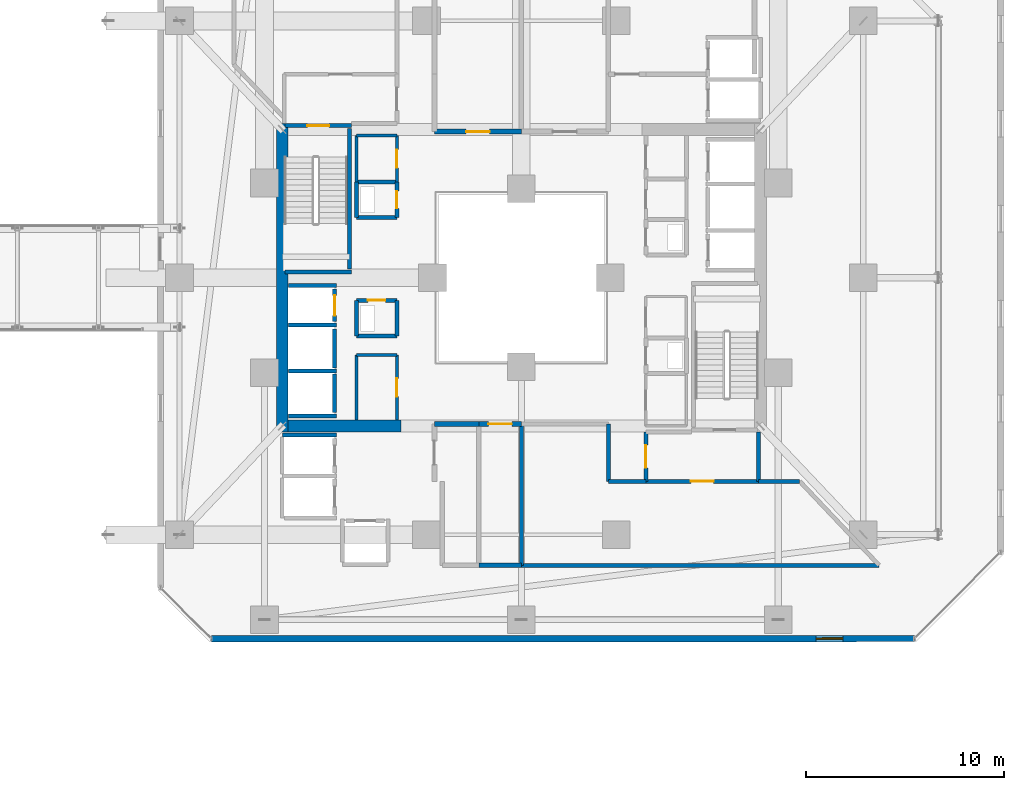
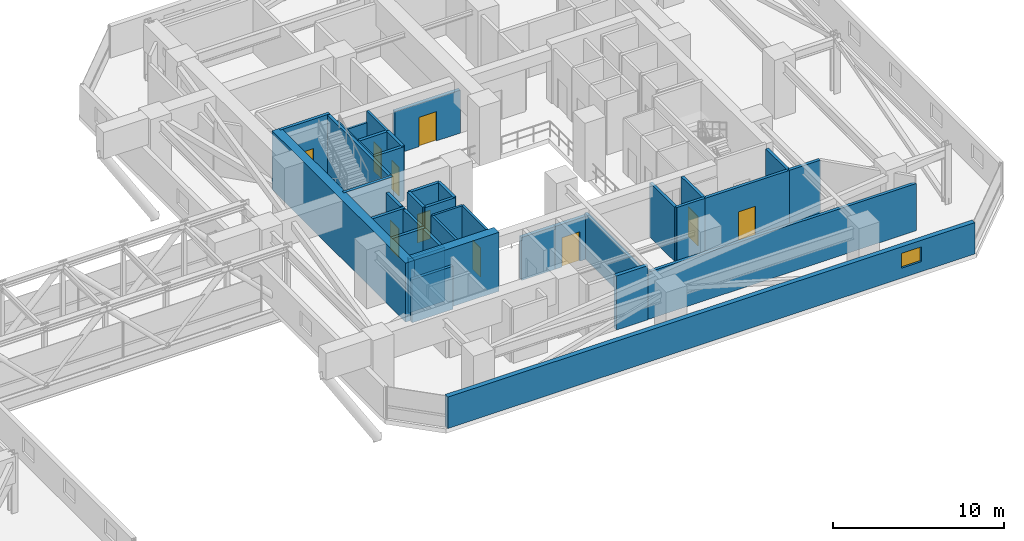
# One storey, part 33 of 38: 40 walls, 10 doors, 1 window, 11 openings.
"""IFC4 building model written with IfcOpenShell, lengths in metres."""

from ifc_helpers import new_model, si_unit, direction, frame, frame_2d, origin, place, context, subcontext, project, spatial, rectangle, extrude, material, layer, layer_set, type_object, element, fill, save


model = new_model("IFC4")

# Units and contexts
model_context = context("Model", 3, precision=1e-05, world=origin(), true_north=direction((0.0, 1.0)))
body_context = subcontext(model_context, "Body", "Model", "MODEL_VIEW")
ifc_project = project(units=[si_unit("LENGTHUNIT", "METRE"), si_unit("AREAUNIT", "SQUARE_METRE"), si_unit("VOLUMEUNIT", "CUBIC_METRE"), si_unit("PLANEANGLEUNIT", "RADIAN"), si_unit("MASSUNIT", "GRAM", prefix="KILO")], contexts=[model_context])

# Site, building, storey
site_placement = place(None, origin())
site = spatial("IfcSite", under=ifc_project, at=site_placement, CompositionType="ELEMENT")
building_placement = place(site_placement, origin())
building = spatial("IfcBuilding", under=site, at=building_placement, Name="Thornwick Lancets Civic Towers", CompositionType="ELEMENT")
storey_placement = place(building_placement, frame((0.0, 0.0, 71.699951171875)))
storey = spatial("IfcBuildingStorey", under=building, at=storey_placement, Name="L18", CompositionType="ELEMENT", Elevation=71.699951171875)

# Wall, opening, door
ifc_material_1 = material(Name="Concrete blockwork C40/50", Category="masonry")
ifc_layer_1 = layer(ifc_material_1, 0.199951171875, Name="Concrete blockwork C40/50")
ifc_layer_set_1 = layer_set([ifc_layer_1], Name="Concrete blockwork C40/50")
wall_type_1 = type_object("IfcWallType", Name="WALL_COMP_200", PredefinedType="STANDARD", material=ifc_layer_set_1)
wall_1_placement = place(storey_placement, frame((79.050048828125, 24.780029296875, 0.0), z_axis=(0.0, 0.0, 1.0), x_axis=(0.0, 1.0, 0.0)))
wall_1 = element("IfcWall", 1, at=wall_1_placement, inside=storey, type_object=wall_type_1, Name="L18 Hoistway Front Wall FL-B2", PredefinedType="STANDARD", context=body_context, shape_type="SweptSolid", body=[
    extrude(rectangle(XDim=1.639892578125, YDim=0.199951171875, at=frame_2d((0.81982421875, 0.0))), origin(), (0.0, 0.0, 1.0), 3.860107421875),
])
opening_1_placement = place(wall_1_placement, frame((0.31005859375, 0.0, 0.0)))
opening_1 = element("IfcOpeningElement", 2, at=opening_1_placement, cuts=wall_1, Name="Opening LD-FL-B2", PredefinedType="OPENING", context=body_context, shape_type="SweptSolid", body=[
    extrude(rectangle(XDim=1.02001953125, YDim=2.06005859375, at=frame_2d((0.510009765625, 1.030029296875))), frame((0.0, 0.10986328125, 0.0), z_axis=(0.0, -1.0, 0.0), x_axis=(1.0, 0.0, 0.0)), (0.0, 0.0, 1.0), 0.219970703125),
])
ifc_material_2 = material(Name="Brushed bronze stainless steel", Category="steel")
door_type_1 = type_object("IfcDoorType", Name="DOOR_LIFT_SLIDE", OperationType="SLIDING_TO_LEFT", PredefinedType="DOOR", material=ifc_material_2)
door_1_placement = place(opening_1_placement, origin())
door_1 = element("IfcDoor", 3, at=door_1_placement, inside=storey, type_object=door_type_1, Name="L18 Sliding Lift Landing Door LD-FL-B2", OperationType="SLIDING_TO_LEFT", OverallHeight=2.06005859375, OverallWidth=1.02001953125, PredefinedType="DOOR", context=body_context, shape_type="SweptSolid", body=[
    extrude(rectangle(XDim=1.02001953125, YDim=2.06005859375, at=frame_2d((0.510009765625, 1.030029296875))), frame((0.0, 0.02490234375, 0.0), z_axis=(0.0, -1.0, 0.0), x_axis=(1.0, 0.0, 0.0)), (0.0, 0.0, 1.0), 0.050048828125),
])
fill(opening_1, door_1)

# Walls
wall_2_placement = place(storey_placement, frame((79.050048828125, 22.429931640625, 0.0), z_axis=(0.0, 0.0, 1.0), x_axis=(0.0, 1.0, 0.0)))
element("IfcWall", 4, at=wall_2_placement, inside=storey, type_object=wall_type_1, Name="L18 Hoistway Front Wall PL-BH2", PredefinedType="STANDARD", context=body_context, shape_type="SweptSolid", body=[
    extrude(rectangle(XDim=1.989990234375, YDim=0.199951171875, at=frame_2d((0.9951171875, 0.0))), origin(), (0.0, 0.0, 1.0), 3.860107421875),
])
wall_3_placement = place(storey_placement, frame((79.050048828125, 20.179931640625, 0.0), z_axis=(0.0, 0.0, 1.0), x_axis=(0.0, 1.0, 0.0)))
element("IfcWall", 5, at=wall_3_placement, inside=storey, type_object=wall_type_1, Name="L18 Hoistway Front Wall PL-BH3", PredefinedType="STANDARD", context=body_context, shape_type="SweptSolid", body=[
    extrude(rectangle(XDim=1.940185546875, YDim=0.199951171875, at=frame_2d((0.97021484375, 0.0))), origin(), (0.0, 0.0, 1.0), 3.860107421875),
])
wall_4_placement = place(storey_placement, frame((76.7119140625, 26.60009765625, 0.0), z_axis=(0.0, 0.0, 1.0), x_axis=(1.0, 0.0, 0.0)))
element("IfcWall", 6, at=wall_4_placement, inside=storey, type_object=wall_type_1, Name="L18 Hoistway Shaft Wall FL-B2 N", PredefinedType="STANDARD", context=body_context, shape_type="SweptSolid", body=[
    extrude(rectangle(XDim=2.43603515625, YDim=0.199951171875, at=frame_2d((1.218017578125, 0.0))), origin(), (0.0, 0.0, 1.0), 2.28515625),
])
for number, where, z_axis, x_axis, name in (
    (7, (76.7119140625, 24.60009765625, 0.0), (0.0, 0.0, 1.0), (1.0, 0.0, 0.0), "L18 Hoistway Shaft Wall FL-B2 S"),
    (8, (76.7119140625, 22.27490234375, 0.0), (0.0, 0.0, 1.0), (1.0, 0.0, 0.0), "L18 Hoistway Shaft Wall PL-BH2 S"),
    (9, (76.7119140625, 20.0, 0.0), (0.0, 0.0, 1.0), (1.0, 0.0, 0.0), "L18 Hoistway Shaft Wall PL-BH3 S"),
):
    element("IfcWall", number, at=place(storey_placement, frame(where, z_axis=z_axis, x_axis=x_axis)), inside=storey, type_object=wall_type_1, Name=name, PredefinedType="STANDARD", context=body_context, shape_type="SweptSolid", body=[
        extrude(rectangle(XDim=2.43603515625, YDim=0.199951171875, at=frame_2d((1.218017578125, 0.0))), origin(), (0.0, 0.0, 1.0), 3.860107421875),
    ])
wall_5_placement = place(storey_placement, frame((76.402099609375, 19.050048828125, 0.0), z_axis=(0.0, 0.0, 1.0), x_axis=(1.0, 0.0, 0.0)))
element("IfcWall", 10, at=wall_5_placement, inside=storey, type_object=wall_type_1, Name="L18 Hoistway Shaft Wall PL-BM1 N", PredefinedType="STANDARD", context=body_context, shape_type="SweptSolid", body=[
    extrude(rectangle(XDim=2.745849609375, YDim=0.199951171875, at=frame_2d((1.373046875, 0.0))), origin(), (0.0, 0.0, 1.0), 3.06494140625),
])

# Wall, opening, door
wall_6_placement = place(storey_placement, frame((94.800048828125, 16.699951171875, 0.0), z_axis=(0.0, 0.0, 1.0), x_axis=(1.0, 0.0, 0.0)))
wall_6 = element("IfcWall", 11, at=wall_6_placement, inside=storey, type_object=wall_type_1, Name="L18 Partition L18-B-FFLOB1 E1", PredefinedType="STANDARD", context=body_context, shape_type="SweptSolid", body=[
    extrude(rectangle(XDim=5.699951171875, YDim=0.199951171875, at=frame_2d((2.85009765625, 0.0))), origin(), (0.0, 0.0, 1.0), 3.860107421875),
])
opening_2_placement = place(wall_6_placement, frame((2.27490234375, 0.0, 0.0)))
opening_2 = element("IfcOpeningElement", 12, at=opening_2_placement, cuts=wall_6, Name="Opening D-L18-0882", PredefinedType="OPENING", context=body_context, shape_type="SweptSolid", body=[
    extrude(rectangle(XDim=1.14990234375, YDim=2.10009765625, at=frame_2d((0.574951171875, 1.050048828125))), frame((0.0, 0.10986328125, 0.0), z_axis=(0.0, -1.0, 0.0), x_axis=(1.0, 0.0, 0.0)), (0.0, 0.0, 1.0), 0.219970703125),
])
ifc_material_3 = material(Name="Glazed fire-resisting steel", Category="steel")
door_type_2 = type_object("IfcDoorType", Name="DOOR_LOBBY_FD60", OperationType="NOTDEFINED", PredefinedType="DOOR", material=ifc_material_3)
door_2_placement = place(opening_2_placement, origin())
door_2 = element("IfcDoor", 13, at=door_2_placement, inside=storey, type_object=door_type_2, Name="L18 Tower B Refuge Holding Area 1 Door", OperationType="SINGLE_SWING_LEFT", OverallHeight=2.10009765625, OverallWidth=1.14990234375, PredefinedType="DOOR", context=body_context, shape_type="SweptSolid", body=[
    extrude(rectangle(XDim=1.14990234375, YDim=2.10009765625, at=frame_2d((0.574951171875, 1.050048828125))), frame((0.0, 0.02490234375, 0.0), z_axis=(0.0, -1.0, 0.0), x_axis=(1.0, 0.0, 0.0)), (0.0, 0.0, 1.0), 0.050048828125),
])
fill(opening_2, door_2)

# Wall
wall_7_placement = place(storey_placement, frame((100.5, 16.699951171875, 0.0), z_axis=(0.0, 0.0, 1.0), x_axis=(0.0, 1.0, 0.0)))
element("IfcWall", 14, at=wall_7_placement, inside=storey, type_object=wall_type_1, Name="L18 Partition L18-B-FFLOB1 E2", PredefinedType="STANDARD", context=body_context, shape_type="SweptSolid", body=[
    extrude(rectangle(XDim=2.5, YDim=0.199951171875, at=frame_2d((1.25, 0.0))), origin(), (0.0, 0.0, 1.0), 3.860107421875),
])

# Wall, opening, door
wall_8_placement = place(storey_placement, frame((94.800048828125, 19.199951171875, 0.0), z_axis=(0.0, 0.0, 1.0), x_axis=(0.0, -1.0, 0.0)))
wall_8 = element("IfcWall", 15, at=wall_8_placement, inside=storey, type_object=wall_type_1, Name="L18 Partition L18-B-FFLOB1 E4", PredefinedType="STANDARD", context=body_context, shape_type="SweptSolid", body=[
    extrude(rectangle(XDim=2.5, YDim=0.199951171875, at=frame_2d((1.25, 0.0))), origin(), (0.0, 0.0, 1.0), 3.860107421875),
])
opening_3_placement = place(wall_8_placement, frame((0.675048828125, 0.0, 0.0)))
opening_3 = element("IfcOpeningElement", 16, at=opening_3_placement, cuts=wall_8, Name="Opening D-L18-0861", PredefinedType="OPENING", context=body_context, shape_type="SweptSolid", body=[
    extrude(rectangle(XDim=1.14990234375, YDim=2.10009765625, at=frame_2d((0.574951171875, 1.050048828125))), frame((0.0, 0.10986328125, 0.0), z_axis=(0.0, -1.0, 0.0), x_axis=(1.0, 0.0, 0.0)), (0.0, 0.0, 1.0), 0.219970703125),
])
door_3_placement = place(opening_3_placement, origin())
door_3 = element("IfcDoor", 17, at=door_3_placement, inside=storey, type_object=door_type_2, Name="L18 East Firefighting Lobby 1 Door", OperationType="SINGLE_SWING_RIGHT", OverallHeight=2.10009765625, OverallWidth=1.14990234375, PredefinedType="DOOR", context=body_context, shape_type="SweptSolid", body=[
    extrude(rectangle(XDim=1.14990234375, YDim=2.10009765625, at=frame_2d((0.574951171875, 1.050048828125))), frame((0.0, 0.02490234375, 0.0), z_axis=(0.0, -1.0, 0.0), x_axis=(1.0, 0.0, 0.0)), (0.0, 0.0, 1.0), 0.050048828125),
])
fill(opening_3, door_3)

# Walls
wall_9_placement = place(storey_placement, frame((80.14990234375, 24.050048828125, 0.0), z_axis=(0.0, 0.0, 1.0), x_axis=(1.0, 0.0, 0.0)))
element("IfcWall", 18, at=wall_9_placement, inside=storey, type_object=wall_type_1, Name="L18 Partition L18-B-DUCT2 E1", PredefinedType="STANDARD", context=body_context, shape_type="SweptSolid", body=[
    extrude(rectangle(XDim=2.050048828125, YDim=0.199951171875, at=frame_2d((1.02490234375, 0.0))), origin(), (0.0, 0.0, 1.0), 3.860107421875),
])
wall_10_placement = place(storey_placement, frame((82.199951171875, 24.050048828125, 0.0), z_axis=(0.0, 0.0, 1.0), x_axis=(0.0, 1.0, 0.0)))
element("IfcWall", 19, at=wall_10_placement, inside=storey, type_object=wall_type_1, Name="L18 Partition L18-B-DUCT2 E2", PredefinedType="STANDARD", context=body_context, shape_type="SweptSolid", body=[
    extrude(rectangle(XDim=1.800048828125, YDim=0.199951171875, at=frame_2d((0.89990234375, 0.0))), origin(), (0.0, 0.0, 1.0), 3.860107421875),
])

# Wall, opening, door
wall_11_placement = place(storey_placement, frame((82.199951171875, 25.85009765625, 0.0), z_axis=(0.0, 0.0, 1.0), x_axis=(-1.0, 0.0, 0.0)))
wall_11 = element("IfcWall", 20, at=wall_11_placement, inside=storey, type_object=wall_type_1, Name="L18 Partition L18-B-DUCT2 E3", PredefinedType="STANDARD", context=body_context, shape_type="SweptSolid", body=[
    extrude(rectangle(XDim=2.050048828125, YDim=0.199951171875, at=frame_2d((1.02490234375, 0.0))), origin(), (0.0, 0.0, 1.0), 3.860107421875),
])
opening_4_placement = place(wall_11_placement, frame((0.5849609375, 0.0, 0.0)))
opening_4 = element("IfcOpeningElement", 21, at=opening_4_placement, cuts=wall_11, Name="Opening D-L18-0865", PredefinedType="OPENING", context=body_context, shape_type="SweptSolid", body=[
    extrude(rectangle(XDim=0.8798828125, YDim=2.0400390625, at=frame_2d((0.43994140625, 1.02001953125))), frame((0.0, 0.10986328125, 0.0), z_axis=(0.0, -1.0, 0.0), x_axis=(1.0, 0.0, 0.0)), (0.0, 0.0, 1.0), 0.219970703125),
])
ifc_material_4 = material(Name="Steel riser access doorset", Category="steel")
door_type_3 = type_object("IfcDoorType", Name="DOOR_RISER_850", OperationType="NOTDEFINED", PredefinedType="DOOR", material=ifc_material_4)
door_4_placement = place(opening_4_placement, origin())
door_4 = element("IfcDoor", 22, at=door_4_placement, inside=storey, type_object=door_type_3, Name="L18 West Service Duct 2 Door", OperationType="SINGLE_SWING_RIGHT", OverallHeight=2.0400390625, OverallWidth=0.8798828125, PredefinedType="DOOR", context=body_context, shape_type="SweptSolid", body=[
    extrude(rectangle(XDim=0.8798828125, YDim=2.0400390625, at=frame_2d((0.43994140625, 1.02001953125))), frame((0.0, 0.02490234375, 0.0), z_axis=(0.0, -1.0, 0.0), x_axis=(1.0, 0.0, 0.0)), (0.0, 0.0, 1.0), 0.050048828125),
])
fill(opening_4, door_4)

# Walls
wall_12_placement = place(storey_placement, frame((80.14990234375, 25.85009765625, 0.0), z_axis=(0.0, 0.0, 1.0), x_axis=(0.0, -1.0, 0.0)))
element("IfcWall", 23, at=wall_12_placement, inside=storey, type_object=wall_type_1, Name="L18 Partition L18-B-DUCT2 E4", PredefinedType="STANDARD", context=body_context, shape_type="SweptSolid", body=[
    extrude(rectangle(XDim=1.800048828125, YDim=0.199951171875, at=frame_2d((0.89990234375, 0.0))), origin(), (0.0, 0.0, 1.0), 3.860107421875),
])
wall_13_placement = place(storey_placement, frame((80.14990234375, 30.050048828125, 0.0), z_axis=(0.0, 0.0, 1.0), x_axis=(1.0, 0.0, 0.0)))
element("IfcWall", 24, at=wall_13_placement, inside=storey, type_object=wall_type_1, Name="L18 Partition L18-B-RISER2 E1", PredefinedType="STANDARD", context=body_context, shape_type="SweptSolid", body=[
    extrude(rectangle(XDim=2.050048828125, YDim=0.199951171875, at=frame_2d((1.02490234375, 0.0))), origin(), (0.0, 0.0, 1.0), 3.860107421875),
])

# Wall, opening, door
wall_14_placement = place(storey_placement, frame((82.199951171875, 30.050048828125, 0.0), z_axis=(0.0, 0.0, 1.0), x_axis=(0.0, 1.0, 0.0)))
wall_14 = element("IfcWall", 25, at=wall_14_placement, inside=storey, type_object=wall_type_1, Name="L18 Partition L18-B-RISER2 E2", PredefinedType="STANDARD", context=body_context, shape_type="SweptSolid", body=[
    extrude(rectangle(XDim=1.800048828125, YDim=0.199951171875, at=frame_2d((0.89990234375, 0.0))), origin(), (0.0, 0.0, 1.0), 3.860107421875),
])
opening_5_placement = place(wall_14_placement, frame((0.4599609375, 0.0, 0.0)))
opening_5 = element("IfcOpeningElement", 26, at=opening_5_placement, cuts=wall_14, Name="Opening D-L18-0866", PredefinedType="OPENING", context=body_context, shape_type="SweptSolid", body=[
    extrude(rectangle(XDim=0.8798828125, YDim=2.0400390625, at=frame_2d((0.43994140625, 1.02001953125))), frame((0.0, 0.10986328125, 0.0), z_axis=(0.0, -1.0, 0.0), x_axis=(1.0, 0.0, 0.0)), (0.0, 0.0, 1.0), 0.219970703125),
])
door_5_placement = place(opening_5_placement, origin())
door_5 = element("IfcDoor", 27, at=door_5_placement, inside=storey, type_object=door_type_3, Name="L18 West Service Riser 2 Door", OperationType="SINGLE_SWING_LEFT", OverallHeight=2.0400390625, OverallWidth=0.8798828125, PredefinedType="DOOR", context=body_context, shape_type="SweptSolid", body=[
    extrude(rectangle(XDim=0.8798828125, YDim=2.0400390625, at=frame_2d((0.43994140625, 1.02001953125))), frame((0.0, 0.02490234375, 0.0), z_axis=(0.0, -1.0, 0.0), x_axis=(1.0, 0.0, 0.0)), (0.0, 0.0, 1.0), 0.050048828125),
])
fill(opening_5, door_5)

# Walls
wall_15_placement = place(storey_placement, frame((82.199951171875, 31.85009765625, 0.0), z_axis=(0.0, 0.0, 1.0), x_axis=(-1.0, 0.0, 0.0)))
element("IfcWall", 28, at=wall_15_placement, inside=storey, type_object=wall_type_1, Name="L18 Partition L18-B-RISER2 E3", PredefinedType="STANDARD", context=body_context, shape_type="SweptSolid", body=[
    extrude(rectangle(XDim=2.050048828125, YDim=0.199951171875, at=frame_2d((1.02490234375, 0.0))), origin(), (0.0, 0.0, 1.0), 3.860107421875),
])
wall_16_placement = place(storey_placement, frame((80.14990234375, 31.85009765625, 0.0), z_axis=(0.0, 0.0, 1.0), x_axis=(0.0, -1.0, 0.0)))
element("IfcWall", 29, at=wall_16_placement, inside=storey, type_object=wall_type_1, Name="L18 Partition L18-B-RISER2 E4", PredefinedType="STANDARD", context=body_context, shape_type="SweptSolid", body=[
    extrude(rectangle(XDim=1.800048828125, YDim=0.199951171875, at=frame_2d((0.89990234375, 0.0))), origin(), (0.0, 0.0, 1.0), 3.860107421875),
])
wall_17_placement = place(storey_placement, frame((92.89990234375, 19.60009765625, 0.0), z_axis=(0.0, 0.0, 1.0), x_axis=(0.0, -1.0, 0.0)))
element("IfcWall", 30, at=wall_17_placement, inside=storey, type_object=wall_type_1, Name="L18 Partition L18-B-REF1 E1", PredefinedType="STANDARD", context=body_context, shape_type="SweptSolid", body=[
    extrude(rectangle(XDim=2.900146484375, YDim=0.199951171875, at=frame_2d((1.4501953125, 0.0))), origin(), (0.0, 0.0, 1.0), 3.860107421875),
])
wall_18_placement = place(storey_placement, frame((92.89990234375, 16.699951171875, 0.0), z_axis=(0.0, 0.0, 1.0), x_axis=(1.0, 0.0, 0.0)))
element("IfcWall", 31, at=wall_18_placement, inside=storey, type_object=wall_type_1, Name="L18 Partition L18-B-REF1 E2", PredefinedType="STANDARD", context=body_context, shape_type="SweptSolid", body=[
    extrude(rectangle(XDim=1.900146484375, YDim=0.199951171875, at=frame_2d((0.9501953125, 0.0))), origin(), (0.0, 0.0, 1.0), 3.860107421875),
])
wall_19_placement = place(storey_placement, frame((100.5, 16.699951171875, 0.0), z_axis=(0.0, 0.0, 1.0), x_axis=(1.0, 0.0, 0.0)))
element("IfcWall", 32, at=wall_19_placement, inside=storey, type_object=wall_type_1, Name="L18 Partition L18-B-REF1 E4", PredefinedType="STANDARD", context=body_context, shape_type="SweptSolid", body=[
    extrude(rectangle(XDim=2.086669921875, YDim=0.199951171875, at=frame_2d((1.04345703125, 0.0))), origin(), (0.0, 0.0, 1.0), 3.860107421875),
])
wall_20_placement = place(storey_placement, frame((106.60498046875, 12.449951171875, 0.0), z_axis=(0.0, 0.0, 1.0), x_axis=(-1.0, 0.0, 0.0)))
element("IfcWall", 33, at=wall_20_placement, inside=storey, type_object=wall_type_1, Name="L18 Partition L18-B-REF1 E6", PredefinedType="STANDARD", context=body_context, shape_type="SweptSolid", body=[
    extrude(rectangle(XDim=18.10498046875, YDim=0.199951171875, at=frame_2d((9.052490234375, 0.0))), origin(), (0.0, 0.0, 1.0), 3.364990234375),
])
wall_21_placement = place(storey_placement, frame((88.5, 12.449951171875, 0.0), z_axis=(0.0, 0.0, 1.0), x_axis=(0.0, 1.0, 0.0)))
element("IfcWall", 34, at=wall_21_placement, inside=storey, type_object=wall_type_1, Name="L18 Partition L18-B-REF1 E7", PredefinedType="STANDARD", context=body_context, shape_type="SweptSolid", body=[
    extrude(rectangle(XDim=7.150146484375, YDim=0.199951171875, at=frame_2d((3.5751953125, 0.0))), origin(), (0.0, 0.0, 1.0), 3.244873046875),
])

# Wall, opening, door
ifc_layer_2 = layer(ifc_material_1, 0.239990234375, Name="Concrete blockwork C40/50")
ifc_layer_set_2 = layer_set([ifc_layer_2], Name="Concrete blockwork C40/50")
wall_type_2 = type_object("IfcWallType", Name="WALL_COMP_240", PredefinedType="STANDARD", material=ifc_layer_set_2)
wall_22_placement = place(storey_placement, frame((88.5, 34.39990234375, 0.0), z_axis=(0.0, 0.0, 1.0), x_axis=(-1.0, 0.0, 0.0)))
wall_22 = element("IfcWall", 35, at=wall_22_placement, inside=storey, type_object=wall_type_2, Name="L18 Partition L18-B-PL-PRS E4", PredefinedType="STANDARD", context=body_context, shape_type="SweptSolid", body=[
    extrude(rectangle(XDim=4.39990234375, YDim=0.239990234375, at=frame_2d((2.199951171875, 0.0))), origin(), (0.0, 0.0, 1.0), 3.06494140625),
])
opening_6_placement = place(wall_22_placement, frame((1.60009765625, 0.0, 0.0)))
opening_6 = element("IfcOpeningElement", 36, at=opening_6_placement, cuts=wall_22, Name="Opening D-L18-0881", PredefinedType="OPENING", context=body_context, shape_type="SweptSolid", body=[
    extrude(rectangle(XDim=1.199951171875, YDim=2.10009765625, at=frame_2d((0.60009765625, 1.050048828125))), frame((0.0, 0.1298828125, 0.0), z_axis=(0.0, -1.0, 0.0), x_axis=(1.0, 0.0, 0.0)), (0.0, 0.0, 1.0), 0.260009765625),
])
ifc_material_5 = material(Name="Steel plant room doorset", Category="steel")
door_type_4 = type_object("IfcDoorType", Name="DOOR_PLANT_1200", OperationType="NOTDEFINED", PredefinedType="DOOR", material=ifc_material_5)
door_6_placement = place(opening_6_placement, origin())
door_6 = element("IfcDoor", 37, at=door_6_placement, inside=storey, type_object=door_type_4, Name="L18 Tower B Pressurisation Air Handling Plant Room Door", OperationType="SINGLE_SWING_RIGHT", OverallHeight=2.10009765625, OverallWidth=1.199951171875, PredefinedType="DOOR", context=body_context, shape_type="SweptSolid", body=[
    extrude(rectangle(XDim=1.199951171875, YDim=2.10009765625, at=frame_2d((0.60009765625, 1.050048828125))), frame((0.0, 0.02490234375, 0.0), z_axis=(0.0, -1.0, 0.0), x_axis=(1.0, 0.0, 0.0)), (0.0, 0.0, 1.0), 0.050048828125),
])
fill(opening_6, door_6)

# Wall
wall_23_placement = place(storey_placement, frame((88.5, 12.449951171875, 0.0), z_axis=(0.0, 0.0, 1.0), x_axis=(-1.0, 0.0, 0.0)))
element("IfcWall", 38, at=wall_23_placement, inside=storey, type_object=wall_type_2, Name="L18 Partition L18-B-PL-AHU E2", PredefinedType="STANDARD", context=body_context, shape_type="SweptSolid", body=[
    extrude(rectangle(XDim=2.14990234375, YDim=0.239990234375, at=frame_2d((1.074951171875, 0.0))), origin(), (0.0, 0.0, 1.0), 3.860107421875),
])

# Wall, opening, door
wall_24_placement = place(storey_placement, frame((86.35009765625, 19.60009765625, 0.0), z_axis=(0.0, 0.0, 1.0), x_axis=(1.0, 0.0, 0.0)))
wall_24 = element("IfcWall", 39, at=wall_24_placement, inside=storey, type_object=wall_type_2, Name="L18 Partition L18-B-PL-AHU E4", PredefinedType="STANDARD", context=body_context, shape_type="SweptSolid", body=[
    extrude(rectangle(XDim=2.14990234375, YDim=0.239990234375, at=frame_2d((1.074951171875, 0.0))), origin(), (0.0, 0.0, 1.0), 3.06494140625),
])
opening_7_placement = place(wall_24_placement, frame((0.47509765625, 0.0, 0.0)))
opening_7 = element("IfcOpeningElement", 40, at=opening_7_placement, cuts=wall_24, Name="Opening D-L18-0884", PredefinedType="OPENING", context=body_context, shape_type="SweptSolid", body=[
    extrude(rectangle(XDim=1.199951171875, YDim=2.10009765625, at=frame_2d((0.60009765625, 1.050048828125))), frame((0.0, 0.1298828125, 0.0), z_axis=(0.0, -1.0, 0.0), x_axis=(1.0, 0.0, 0.0)), (0.0, 0.0, 1.0), 0.260009765625),
])
door_7_placement = place(opening_7_placement, origin())
door_7 = element("IfcDoor", 41, at=door_7_placement, inside=storey, type_object=door_type_4, Name="L18 Tower B AHU and Ventilation Plant Room Door", OperationType="SINGLE_SWING_LEFT", OverallHeight=2.10009765625, OverallWidth=1.199951171875, PredefinedType="DOOR", context=body_context, shape_type="SweptSolid", body=[
    extrude(rectangle(XDim=1.199951171875, YDim=2.10009765625, at=frame_2d((0.60009765625, 1.050048828125))), frame((0.0, 0.02490234375, 0.0), z_axis=(0.0, -1.0, 0.0), x_axis=(1.0, 0.0, 0.0)), (0.0, 0.0, 1.0), 0.050048828125),
])
fill(opening_7, door_7)

# Walls
wall_25_placement = place(storey_placement, frame((84.10009765625, 19.60009765625, 0.0), z_axis=(0.0, 0.0, 1.0), x_axis=(1.0, 0.0, 0.0)))
element("IfcWall", 42, at=wall_25_placement, inside=storey, type_object=wall_type_2, Name="L18 Partition L18-B-PL-ELC E2", PredefinedType="STANDARD", context=body_context, shape_type="SweptSolid", body=[
    extrude(rectangle(XDim=2.25, YDim=0.239990234375, at=frame_2d((1.125, 0.0))), origin(), (0.0, 0.0, 1.0), 3.06494140625),
])
ifc_material_6 = material(Name="Concrete C60/75", Category="concrete")
ifc_layer_3 = layer(ifc_material_6, 0.60009765625, Name="Concrete C60/75")
ifc_layer_set_3 = layer_set([ifc_layer_3], Name="Concrete C60/75")
wall_type_3 = type_object("IfcWallType", Name="WALL_CORE_600", PredefinedType="SHEAR", material=ifc_layer_set_3)
wall_26_placement = place(storey_placement, frame((76.39990234375, 19.199951171875, 0.0), z_axis=(0.0, 0.0, 1.0), x_axis=(0.0, 1.0, 0.0)))
element("IfcWall", 43, at=wall_26_placement, inside=storey, type_object=wall_type_3, Name="L18 Split Core B2 Shear Wall W", PredefinedType="SHEAR", context=body_context, shape_type="SweptSolid", body=[
    extrude(rectangle(XDim=15.60009765625, YDim=0.60009765625, at=frame_2d((7.800048828125, 0.0))), origin(), (0.0, 0.0, 1.0), 4.199951171875),
])
wall_27_placement = place(storey_placement, frame((76.699951171875, 19.5, 0.0), z_axis=(0.0, 0.0, 1.0), x_axis=(1.0, 0.0, 0.0)))
element("IfcWall", 44, at=wall_27_placement, inside=storey, type_object=wall_type_3, Name="L18 Split Core B2 Shear Wall S", PredefinedType="SHEAR", context=body_context, shape_type="SweptSolid", body=[
    extrude(rectangle(XDim=5.699951171875, YDim=0.60009765625, at=frame_2d((2.85009765625, 0.0))), origin(), (0.0, 0.0, 1.0), 4.199951171875),
])

# Wall, opening, window
ifc_material_7 = material(Name="Insulated buff terracotta rainscreen on concrete C40/50", Category="masonry")
ifc_layer_4 = layer(ifc_material_7, 0.320068359375, Name="Insulated buff terracotta rainscreen on concrete C40/50")
ifc_layer_set_4 = layer_set([ifc_layer_4], Name="Insulated buff terracotta rainscreen on concrete C40/50")
wall_type_4 = type_object("IfcWallType", Name="WALL_EXT_TERRA_320", PredefinedType="STANDARD", material=ifc_layer_set_4)
wall_28_placement = place(storey_placement, frame((72.81884765625, 8.735107421875, 0.0), z_axis=(0.0, 0.0, 1.0), x_axis=(0.999999986432, 0.000164732205, 0.0)))
wall_28 = element("IfcWall", 45, at=wall_28_placement, inside=storey, type_object=wall_type_4, Name="L18 Tower B Terracotta Facade Wall E0", PredefinedType="STANDARD", context=body_context, shape_type="SweptSolid", body=[
    extrude(rectangle(XDim=35.569091796875, YDim=0.320068359375, at=frame_2d((17.78466796875, 0.0))), origin(), (0.0, 0.0, 1.0), 2.239990234375),
])
opening_8_placement = place(wall_28_placement, frame((30.60009765625, 0.0, 0.719970703125)))
opening_8 = element("IfcOpeningElement", 46, at=opening_8_placement, cuts=wall_28, Name="Opening WL-03", PredefinedType="OPENING", context=body_context, shape_type="SweptSolid", body=[
    extrude(rectangle(XDim=1.35009765625, YDim=1.050048828125, at=frame_2d((0.675048828125, 0.52490234375))), frame((0.0, 0.169921875, 0.0), z_axis=(0.0, -1.0, 0.0), x_axis=(1.0, 0.0, 0.0)), (0.0, 0.0, 1.0), 0.340087890625),
])
ifc_material_8 = material(Name="Clear low-e double glazing clerestory lancet", Category="glass")
window_type = type_object("IfcWindowType", Name="WIN_LANCET_1350", PartitioningType="SINGLE_PANEL", PredefinedType="WINDOW", material=ifc_material_8)
window_placement = place(opening_8_placement, origin())
window = element("IfcWindow", 47, at=window_placement, inside=storey, type_object=window_type, Name="L18 Tower B Staggered Lancet Window E0-1", OverallHeight=1.050048828125, OverallWidth=1.35009765625, PartitioningType="SINGLE_PANEL", PredefinedType="WINDOW", context=body_context, shape_type="SweptSolid", body=[
    extrude(rectangle(XDim=1.35009765625, YDim=1.050048828125, at=frame_2d((0.675048828125, 0.52490234375))), frame((0.0, 0.030029296875, 0.0), z_axis=(0.0, -1.0, 0.0), x_axis=(1.0, 0.0, 0.0)), (0.0, 0.0, 1.0), 0.06005859375),
])
fill(opening_8, window)

# Wall, opening, door
ifc_material_9 = material(Name="Twin-stud acoustic gypsum board")
ifc_layer_5 = layer(ifc_material_9, 0.14990234375, Name="Twin-stud acoustic gypsum board")
ifc_layer_set_5 = layer_set([ifc_layer_5], Name="Twin-stud acoustic gypsum board")
wall_type_5 = type_object("IfcWallType", Name="WALL_PART_150", PredefinedType="PARTITIONING", material=ifc_layer_set_5)
wall_29_placement = place(storey_placement, frame((82.199951171875, 19.800048828125, 0.0), z_axis=(0.0, 0.0, 1.0), x_axis=(0.0, 1.0, 0.0)))
wall_29 = element("IfcWall", 48, at=wall_29_placement, inside=storey, type_object=wall_type_5, Name="L18 Partition L18-B-MWC E2", PredefinedType="PARTITIONING", context=body_context, shape_type="SweptSolid", body=[
    extrude(rectangle(XDim=3.300048828125, YDim=0.14990234375, at=frame_2d((1.64990234375, 0.0))), origin(), (0.0, 0.0, 1.0), 3.860107421875),
])
opening_9_placement = place(wall_29_placement, frame((1.18994140625, 0.0, 0.0)))
opening_9 = element("IfcOpeningElement", 49, at=opening_9_placement, cuts=wall_29, Name="Opening D-L18-0871", PredefinedType="OPENING", context=body_context, shape_type="SweptSolid", body=[
    extrude(rectangle(XDim=0.919921875, YDim=2.080078125, at=frame_2d((0.4599609375, 1.0400390625))), frame((0.0, 0.0849609375, 0.0), z_axis=(0.0, -1.0, 0.0), x_axis=(1.0, 0.0, 0.0)), (0.0, 0.0, 1.0), 0.169921875),
])
ifc_material_10 = material(Name="Moisture-resistant oak doorset")
door_type_5 = type_object("IfcDoorType", Name="DOOR_WC_900", OperationType="NOTDEFINED", PredefinedType="DOOR", material=ifc_material_10)
door_8_placement = place(opening_9_placement, origin())
door_8 = element("IfcDoor", 50, at=door_8_placement, inside=storey, type_object=door_type_5, Name="L18 Tower B Male WC Door", OperationType="SINGLE_SWING_RIGHT", OverallHeight=2.080078125, OverallWidth=0.919921875, PredefinedType="DOOR", context=body_context, shape_type="SweptSolid", body=[
    extrude(rectangle(XDim=0.919921875, YDim=2.080078125, at=frame_2d((0.4599609375, 1.0400390625))), frame((0.0, 0.02490234375, 0.0), z_axis=(0.0, -1.0, 0.0), x_axis=(1.0, 0.0, 0.0)), (0.0, 0.0, 1.0), 0.050048828125),
])
fill(opening_9, door_8)

# Walls
wall_30_placement = place(storey_placement, frame((82.199951171875, 23.10009765625, 0.0), z_axis=(0.0, 0.0, 1.0), x_axis=(-1.0, 0.0, 0.0)))
element("IfcWall", 51, at=wall_30_placement, inside=storey, type_object=wall_type_5, Name="L18 Partition L18-B-MWC E3", PredefinedType="PARTITIONING", context=body_context, shape_type="SweptSolid", body=[
    extrude(rectangle(XDim=2.050048828125, YDim=0.14990234375, at=frame_2d((1.02490234375, 0.0))), origin(), (0.0, 0.0, 1.0), 3.860107421875),
])
wall_31_placement = place(storey_placement, frame((80.14990234375, 23.10009765625, 0.0), z_axis=(0.0, 0.0, 1.0), x_axis=(0.0, -1.0, 0.0)))
element("IfcWall", 52, at=wall_31_placement, inside=storey, type_object=wall_type_5, Name="L18 Partition L18-B-MWC E4", PredefinedType="PARTITIONING", context=body_context, shape_type="SweptSolid", body=[
    extrude(rectangle(XDim=3.300048828125, YDim=0.14990234375, at=frame_2d((1.64990234375, 0.0))), origin(), (0.0, 0.0, 1.0), 3.860107421875),
])
wall_32_placement = place(storey_placement, frame((80.14990234375, 31.85009765625, 0.0), z_axis=(0.0, 0.0, 1.0), x_axis=(0.0, 1.0, 0.0)))
element("IfcWall", 53, at=wall_32_placement, inside=storey, type_object=wall_type_5, Name="L18 Partition L18-B-FWC E1", PredefinedType="PARTITIONING", context=body_context, shape_type="SweptSolid", body=[
    extrude(rectangle(XDim=2.349853515625, YDim=0.14990234375, at=frame_2d((1.1748046875, 0.0))), origin(), (0.0, 0.0, 1.0), 3.860107421875),
])
wall_33_placement = place(storey_placement, frame((80.14990234375, 34.199951171875, 0.0), z_axis=(0.0, 0.0, 1.0), x_axis=(1.0, 0.0, 0.0)))
element("IfcWall", 54, at=wall_33_placement, inside=storey, type_object=wall_type_5, Name="L18 Partition L18-B-FWC E2", PredefinedType="PARTITIONING", context=body_context, shape_type="SweptSolid", body=[
    extrude(rectangle(XDim=2.050048828125, YDim=0.14990234375, at=frame_2d((1.02490234375, 0.0))), origin(), (0.0, 0.0, 1.0), 3.06494140625),
])

# Wall, opening, door
wall_34_placement = place(storey_placement, frame((82.199951171875, 34.199951171875, 0.0), z_axis=(0.0, 0.0, 1.0), x_axis=(0.0, -1.0, 0.0)))
wall_34 = element("IfcWall", 55, at=wall_34_placement, inside=storey, type_object=wall_type_5, Name="L18 Partition L18-B-FWC E3", PredefinedType="PARTITIONING", context=body_context, shape_type="SweptSolid", body=[
    extrude(rectangle(XDim=2.349853515625, YDim=0.14990234375, at=frame_2d((1.1748046875, 0.0))), origin(), (0.0, 0.0, 1.0), 3.860107421875),
])
opening_10_placement = place(wall_34_placement, frame((0.715087890625, 0.0, 0.0)))
opening_10 = element("IfcOpeningElement", 56, at=opening_10_placement, cuts=wall_34, Name="Opening D-L18-0872", PredefinedType="OPENING", context=body_context, shape_type="SweptSolid", body=[
    extrude(rectangle(XDim=0.919921875, YDim=2.080078125, at=frame_2d((0.4599609375, 1.0400390625))), frame((0.0, 0.0849609375, 0.0), z_axis=(0.0, -1.0, 0.0), x_axis=(1.0, 0.0, 0.0)), (0.0, 0.0, 1.0), 0.169921875),
])
door_9_placement = place(opening_10_placement, origin())
door_9 = element("IfcDoor", 57, at=door_9_placement, inside=storey, type_object=door_type_5, Name="L18 Tower B Female WC Door", OperationType="SINGLE_SWING_LEFT", OverallHeight=2.080078125, OverallWidth=0.919921875, PredefinedType="DOOR", context=body_context, shape_type="SweptSolid", body=[
    extrude(rectangle(XDim=0.919921875, YDim=2.080078125, at=frame_2d((0.4599609375, 1.0400390625))), frame((0.0, 0.02490234375, 0.0), z_axis=(0.0, -1.0, 0.0), x_axis=(1.0, 0.0, 0.0)), (0.0, 0.0, 1.0), 0.050048828125),
])
fill(opening_10, door_9)

ifc_material_11 = material(Name="Concrete C40/50", Category="concrete")
ifc_layer_6 = layer(ifc_material_11, 0.199951171875, Name="Concrete C40/50")
ifc_layer_set_6 = layer_set([ifc_layer_6], Name="Concrete C40/50")
wall_type_6 = type_object("IfcWallType", Name="WALL_SHAFT_200", PredefinedType="SHEAR", material=ifc_layer_set_6)
wall_35_placement = place(storey_placement, frame((76.550048828125, 34.699951171875, 0.0), z_axis=(0.0, 0.0, 1.0), x_axis=(1.0, 0.0, 0.0)))
wall_35 = element("IfcWall", 58, at=wall_35_placement, inside=storey, type_object=wall_type_6, Name="L18 ST-B2 Fire Stair Core Wall NEAR", PredefinedType="SHEAR", context=body_context, shape_type="SweptSolid", body=[
    extrude(rectangle(XDim=3.349853515625, YDim=0.199951171875, at=frame_2d((1.6748046875, 0.0))), origin(), (0.0, 0.0, 1.0), 4.199951171875),
])
opening_11_placement = place(wall_35_placement, frame((1.125, 0.0, 0.0)))
opening_11 = element("IfcOpeningElement", 59, at=opening_11_placement, cuts=wall_35, Name="Opening D-ST-B2-L18", PredefinedType="OPENING", context=body_context, shape_type="SweptSolid", body=[
    extrude(rectangle(XDim=1.10009765625, YDim=2.10009765625, at=frame_2d((0.550048828125, 1.050048828125))), frame((0.0, 0.10986328125, 0.0), z_axis=(0.0, -1.0, 0.0), x_axis=(1.0, 0.0, 0.0)), (0.0, 0.0, 1.0), 0.219970703125),
])
ifc_material_12 = material(Name="Fire-resisting steel and hardwood", Category="steel")
door_type_6 = type_object("IfcDoorType", Name="DOOR_STAIR_FD60", OperationType="NOTDEFINED", PredefinedType="DOOR", material=ifc_material_12)
door_10_placement = place(opening_11_placement, origin())
door_10 = element("IfcDoor", 60, at=door_10_placement, inside=storey, type_object=door_type_6, Name="L18 ST-B2 Exit Stair Door", OperationType="SINGLE_SWING_LEFT", OverallHeight=2.10009765625, OverallWidth=1.10009765625, PredefinedType="DOOR", context=body_context, shape_type="SweptSolid", body=[
    extrude(rectangle(XDim=1.10009765625, YDim=2.10009765625, at=frame_2d((0.550048828125, 1.050048828125))), frame((0.0, 0.02490234375, 0.0), z_axis=(0.0, -1.0, 0.0), x_axis=(1.0, 0.0, 0.0)), (0.0, 0.0, 1.0), 0.050048828125),
])
fill(opening_11, door_10)

# Walls
wall_36_placement = place(storey_placement, frame((79.89990234375, 27.300048828125, 0.0), z_axis=(0.0, 0.0, 1.0), x_axis=(-1.0, 0.0, 0.0)))
element("IfcWall", 61, at=wall_36_placement, inside=storey, type_object=wall_type_6, Name="L18 ST-B2 Fire Stair Core Wall FAR", PredefinedType="SHEAR", context=body_context, shape_type="SweptSolid", body=[
    extrude(rectangle(XDim=3.349853515625, YDim=0.199951171875, at=frame_2d((1.6748046875, 0.0))), origin(), (0.0, 0.0, 1.0), 4.199951171875),
])
wall_37_placement = place(storey_placement, frame((79.797119140625, 27.449951171875, 0.0), z_axis=(0.0, 0.0, 1.0), x_axis=(0.0, 1.0, 0.0)))
element("IfcWall", 62, at=wall_37_placement, inside=storey, type_object=wall_type_6, Name="L18 ST-B2 Fire Stair Core Wall RIGHT", PredefinedType="SHEAR", context=body_context, shape_type="SweptSolid", body=[
    extrude(rectangle(XDim=7.10009765625, YDim=0.199951171875, at=frame_2d((3.550048828125, 0.0))), origin(), (0.0, 0.0, 1.0), 4.199951171875),
])

save(model, "model.ifc")
